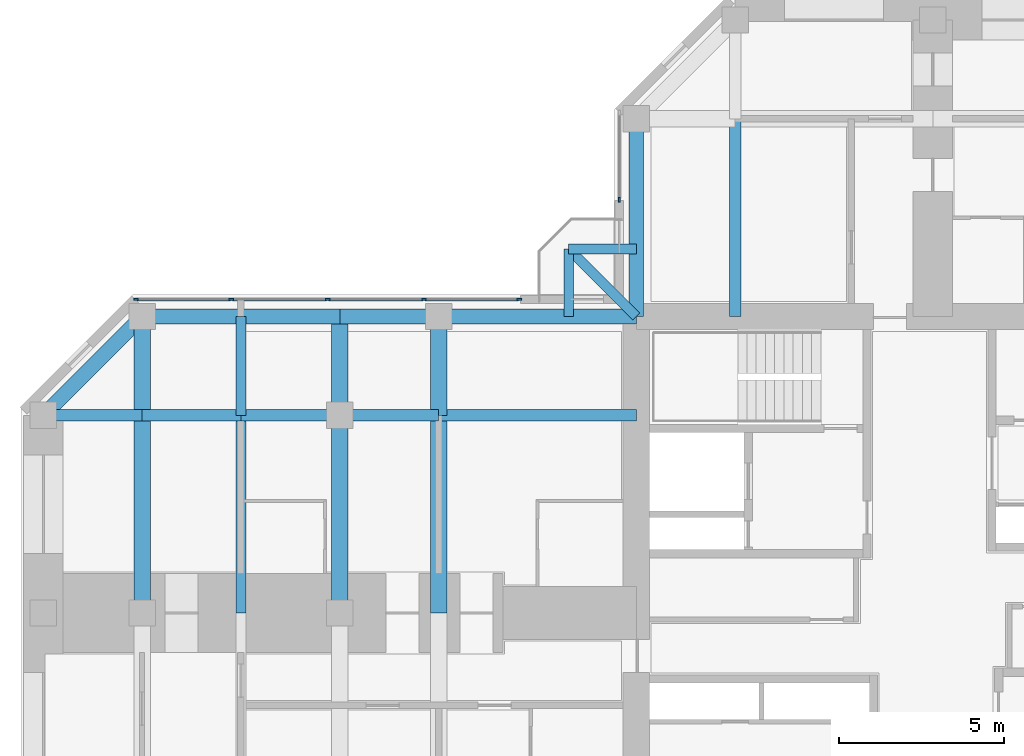
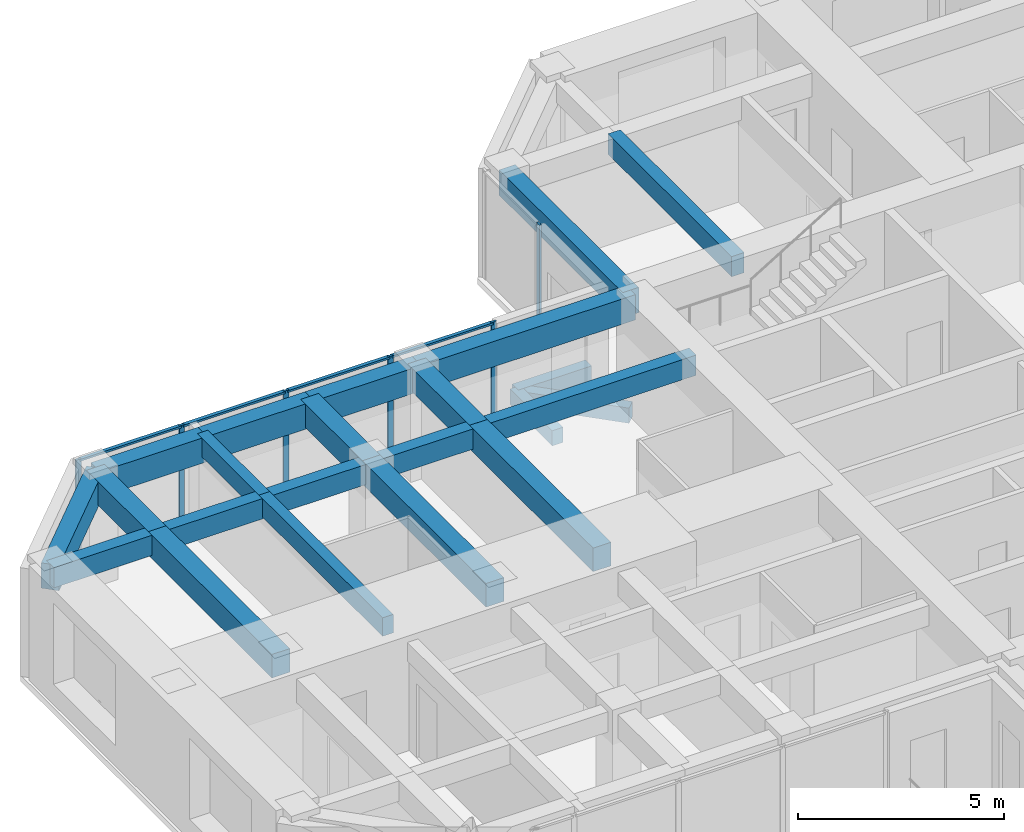
# One storey, part 4 of 13: 23 beams, 10 members, 2 elements without a shape of their own.
"""IFC4 building model written with IfcOpenShell, lengths in metres."""

from ifc_helpers import new_model, si_unit, direction, frame, origin, origin_2d, place, context, subcontext, project, spatial, rectangle, extrude, material, material_profile, profile_set, type_object, element, aggregate, save


model = new_model("IFC4")

# Units and contexts
model_context = context("Model", 3, precision=1e-05, world=origin(), true_north=direction((0.0, 1.0)))
body_context = subcontext(model_context, "Body", "Model", "MODEL_VIEW")
ifc_project = project(units=[si_unit("LENGTHUNIT", "METRE"), si_unit("AREAUNIT", "SQUARE_METRE"), si_unit("VOLUMEUNIT", "CUBIC_METRE"), si_unit("PLANEANGLEUNIT", "RADIAN"), si_unit("MASSUNIT", "GRAM", prefix="KILO")], contexts=[model_context])

# Site, building, storey
site_placement = place(None, origin())
site = spatial("IfcSite", under=ifc_project, at=site_placement, CompositionType="ELEMENT")
building_placement = place(site_placement, origin())
building = spatial("IfcBuilding", under=site, at=building_placement, Name="Torre Cruceta", CompositionType="ELEMENT")
storey_placement = place(building_placement, frame((0.0, 0.0, 242.5)))
storey = spatial("IfcBuildingStorey", under=building, at=storey_placement, Name="L62", CompositionType="ELEMENT", Elevation=242.5)

# Beams
ifc_material_1 = material(Name="Concrete G60 (fck 60 MPa)", Category="concrete")
ifc_material_profile_1 = material_profile(ifc_material_1, rectangle(XDim=0.300048828125, YDim=0.449951171875, at=origin_2d()), Name="RC 300X450")
ifc_profile_set_1 = profile_set([ifc_material_profile_1], Name="Concrete G60 (fck 60 MPa)")
beam_type_1 = type_object("IfcBeamType", Name="BALCONY CANTILEVER BEAM RC 300X450", PredefinedType="BEAM", material=ifc_profile_set_1)
beam_1_placement = place(storey_placement, frame((-9.0, 9.0, -0.405029296875), z_axis=(-0.707106781187, 0.707106781187, 0.0), x_axis=(-0.707106781187, -0.707106781187, 0.0)))
element("IfcBeam", 1, at=beam_1_placement, inside=storey, type_object=beam_type_1, Name="BB1 balcony beam L62 N", PredefinedType="BEAM", context=body_context, shape_type="SweptSolid", body=[
    extrude(rectangle(XDim=0.300048828125, YDim=0.449951171875, at=origin_2d()), origin(), (0.0, 0.0, 1.0), 2.89990234375),
])
for number, where, z_axis, x_axis, name in (
    (2, (-11.050537109375, 9.0, -0.405029296875), (0.0, 1.0, 0.0), (-1.0, 0.0, 0.0), "BB1 balcony edge beam L62 N-X"),
    (3, (-9.0, 11.050537109375, -0.405029296875), (-1.0, 0.0, 0.0), (0.0, -1.0, 0.0), "BB1 balcony edge beam L62 N-Y"),
):
    element("IfcBeam", number, at=place(storey_placement, frame(where, z_axis=z_axis, x_axis=x_axis)), inside=storey, type_object=beam_type_1, Name=name, PredefinedType="BEAM", context=body_context, shape_type="SweptSolid", body=[
        extrude(rectangle(XDim=0.300048828125, YDim=0.449951171875, at=origin_2d()), origin(), (0.0, 0.0, 1.0), 2.050537109375),
    ])
ifc_material_2 = material(Name="Concrete G60 (fck 60 MPa)", Category="concrete")
ifc_material_profile_2 = material_profile(ifc_material_2, rectangle(XDim=0.35009765625, YDim=0.60009765625, at=origin_2d()), Name="RC 350X600")
ifc_profile_set_2 = profile_set([ifc_material_profile_2], Name="Concrete G60 (fck 60 MPa)")
beam_type_2 = type_object("IfcBeamType", Name="COLUMN LINE BEAM RC 350X600", PredefinedType="BEAM", material=ifc_profile_set_2)
for number, where, z_axis, x_axis, name in (
    (4, (-6.0, 9.0, 2.919921875), (0.0, 1.0, 0.0), (-1.0, 0.0, 0.0), "LB9 L62 N col+ 1"),
    (5, (-9.0, 6.0, 2.919921875), (-1.0, 0.0, 0.0), (0.0, -1.0, 0.0), "LB9 L62 W col- 1"),
):
    element("IfcBeam", number, at=place(storey_placement, frame(where, z_axis=z_axis, x_axis=x_axis)), inside=storey, type_object=beam_type_2, Name=name, PredefinedType="BEAM", context=body_context, shape_type="SweptSolid", body=[
        extrude(rectangle(XDim=0.35009765625, YDim=0.60009765625, at=origin_2d()), origin(), (0.0, 0.0, 1.0), 6.0),
    ])
for number, where, z_axis, x_axis, name in (
    (6, (-15.0, 6.0, 2.919921875), (-1.0, 0.0, 0.0), (0.0, -1.0, 0.0), "LB9 L62 W col- 2"),
    (7, (-18.0, 6.0, 2.919921875), (-1.0, 0.0, 0.0), (0.0, -1.0, 0.0), "LB9 L62 W col- 3"),
    (8, (-21.0, 6.0, 2.919921875), (-1.0, 0.0, 0.0), (0.0, -1.0, 0.0), "LB9 L62 W col- 4"),
    (9, (-24.0, 6.0, 2.919921875), (-1.0, 0.0, 0.0), (0.0, -1.0, 0.0), "LB9 L62 W col- 5"),
):
    element("IfcBeam", number, at=place(storey_placement, frame(where, z_axis=z_axis, x_axis=x_axis)), inside=storey, type_object=beam_type_2, Name=name, PredefinedType="BEAM", context=body_context, shape_type="SweptSolid", body=[
        extrude(rectangle(XDim=0.35009765625, YDim=0.60009765625, at=origin_2d()), origin(), (0.0, 0.0, 1.0), 3.0),
    ])
ifc_material_3 = material(Name="Concrete G60 (fck 60 MPa)", Category="concrete")
ifc_material_profile_3 = material_profile(ifc_material_3, rectangle(XDim=0.5, YDim=0.699951171875, at=origin_2d()), Name="RC 500X700")
ifc_profile_set_3 = profile_set([ifc_material_profile_3], Name="Concrete G60 (fck 60 MPa)")
beam_type_3 = type_object("IfcBeamType", Name="CROSS BEAM RC 500X700", PredefinedType="BEAM", material=ifc_profile_set_3)
beam_2_placement = place(storey_placement, frame((-15.0, 9.0, 2.8701171875), z_axis=(0.0, -1.0, 0.0), x_axis=(1.0, 0.0, 0.0)))
element("IfcBeam", 10, at=beam_2_placement, inside=storey, type_object=beam_type_3, Name="GB7 L62 W cross15 1", PredefinedType="BEAM", context=body_context, shape_type="SweptSolid", body=[
    extrude(rectangle(XDim=0.5, YDim=0.699951171875, at=origin_2d()), origin(), (0.0, 0.0, 1.0), 3.0),
])
beam_3_placement = place(storey_placement, frame((-15.0, 6.0, 2.8701171875), z_axis=(0.0, -1.0, 0.0), x_axis=(1.0, 0.0, 0.0)))
element("IfcBeam", 11, at=beam_3_placement, inside=storey, type_object=beam_type_3, Name="GB7 L62 W cross15 2", PredefinedType="BEAM", context=body_context, shape_type="SweptSolid", body=[
    extrude(rectangle(XDim=0.5, YDim=0.699951171875, at=origin_2d()), origin(), (0.0, 0.0, 1.0), 6.0),
])
beam_4_placement = place(storey_placement, frame((-18.0, 9.0, 2.8701171875), z_axis=(0.0, -1.0, 0.0), x_axis=(1.0, 0.0, 0.0)))
element("IfcBeam", 12, at=beam_4_placement, inside=storey, type_object=beam_type_3, Name="GB7 L62 W cross18 1", PredefinedType="BEAM", context=body_context, shape_type="SweptSolid", body=[
    extrude(rectangle(XDim=0.5, YDim=0.699951171875, at=origin_2d()), origin(), (0.0, 0.0, 1.0), 3.0),
])
beam_5_placement = place(storey_placement, frame((-18.0, 6.0, 2.8701171875), z_axis=(0.0, -1.0, 0.0), x_axis=(1.0, 0.0, 0.0)))
element("IfcBeam", 13, at=beam_5_placement, inside=storey, type_object=beam_type_3, Name="GB7 L62 W cross18 2", PredefinedType="BEAM", context=body_context, shape_type="SweptSolid", body=[
    extrude(rectangle(XDim=0.5, YDim=0.699951171875, at=origin_2d()), origin(), (0.0, 0.0, 1.0), 6.0),
])
beam_6_placement = place(storey_placement, frame((-24.0, 9.0, 2.8701171875), z_axis=(0.0, -1.0, 0.0), x_axis=(1.0, 0.0, 0.0)))
element("IfcBeam", 14, at=beam_6_placement, inside=storey, type_object=beam_type_3, Name="GB7 L62 W cross24 1", PredefinedType="BEAM", context=body_context, shape_type="SweptSolid", body=[
    extrude(rectangle(XDim=0.5, YDim=0.699951171875, at=origin_2d()), origin(), (0.0, 0.0, 1.0), 3.0),
])
beam_7_placement = place(storey_placement, frame((-24.0, 6.0, 2.8701171875), z_axis=(0.0, -1.0, 0.0), x_axis=(1.0, 0.0, 0.0)))
element("IfcBeam", 15, at=beam_7_placement, inside=storey, type_object=beam_type_3, Name="GB7 L62 W cross24 2", PredefinedType="BEAM", context=body_context, shape_type="SweptSolid", body=[
    extrude(rectangle(XDim=0.5, YDim=0.699951171875, at=origin_2d()), origin(), (0.0, 0.0, 1.0), 6.0),
])

# Curtain wall, member
ifc_material_4 = material(Name="Aluminium unitised curtain wall", Category="aluminium")
curtain_wall_type = type_object("IfcCurtainWallType", Name="CURTAIN WALL CW-D CO-LIVING UPPER", PredefinedType="USERDEFINED", material=ifc_material_4)
curtain_wall_1_placement = place(storey_placement, origin())
curtain_wall_1 = element("IfcCurtainWall", 16, at=curtain_wall_1_placement, inside=storey, type_object=curtain_wall_type, Name="CW-D L62 N side 09", ObjectType="UNITISED", PredefinedType="USERDEFINED")
ifc_material_5 = material(Name="Aluminium mullion", Category="aluminium")
ifc_material_profile_4 = material_profile(ifc_material_5, rectangle(XDim=0.06005859375, YDim=0.14990234375, at=origin_2d()), Name="AL 60X150")
ifc_profile_set_4 = profile_set([ifc_material_profile_4], Name="Aluminium mullion")
member_type_1 = type_object("IfcMemberType", Name="CW-D MULLION 60X150", PredefinedType="MULLION", material=ifc_profile_set_4)
member_1_placement = place(storey_placement, frame((-9.52001953125, 12.550048828125, 0.0), z_axis=(0.0, 0.0, 1.0), x_axis=(1.0, 0.0, 0.0)))
member_1 = element("IfcMember", 17, at=member_1_placement, type_object=member_type_1, Name="CW-D mullion 2", PredefinedType="MULLION", context=body_context, shape_type="SweptSolid", body=[
    extrude(rectangle(XDim=0.06005859375, YDim=0.14990234375, at=origin_2d()), origin(), (0.0, 0.0, 1.0), 3.219970703125),
])
aggregate(curtain_wall_1, [member_1])

# Curtain wall, members
curtain_wall_2_placement = place(storey_placement, origin())
curtain_wall_2 = element("IfcCurtainWall", 18, at=curtain_wall_2_placement, inside=storey, type_object=curtain_wall_type, Name="CW-D L62 W side 10", ObjectType="UNITISED", PredefinedType="USERDEFINED")
member_2_placement = place(storey_placement, frame((-12.550048828125, 9.52001953125, 0.0), z_axis=(0.0, 0.0, 1.0), x_axis=(0.0, -1.0, 0.0)))
member_2 = element("IfcMember", 19, at=member_2_placement, type_object=member_type_1, Name="CW-D mullion 1", PredefinedType="MULLION", context=body_context, shape_type="SweptSolid", body=[
    extrude(rectangle(XDim=0.06005859375, YDim=0.14990234375, at=origin_2d()), origin(), (0.0, 0.0, 1.0), 3.219970703125),
])
member_3_placement = place(storey_placement, frame((-15.44384765625, 9.52001953125, 0.0), z_axis=(0.0, 0.0, 1.0), x_axis=(0.0, -1.0, 0.0)))
member_3 = element("IfcMember", 20, at=member_3_placement, type_object=member_type_1, Name="CW-D mullion 2", PredefinedType="MULLION", context=body_context, shape_type="SweptSolid", body=[
    extrude(rectangle(XDim=0.06005859375, YDim=0.14990234375, at=origin_2d()), origin(), (0.0, 0.0, 1.0), 3.219970703125),
])
member_4_placement = place(storey_placement, frame((-18.36767578125, 9.52001953125, 0.0), z_axis=(0.0, 0.0, 1.0), x_axis=(0.0, -1.0, 0.0)))
member_4 = element("IfcMember", 21, at=member_4_placement, type_object=member_type_1, Name="CW-D mullion 3", PredefinedType="MULLION", context=body_context, shape_type="SweptSolid", body=[
    extrude(rectangle(XDim=0.06005859375, YDim=0.14990234375, at=origin_2d()), origin(), (0.0, 0.0, 1.0), 3.219970703125),
])
member_5_placement = place(storey_placement, frame((-21.29150390625, 9.52001953125, 0.0), z_axis=(0.0, 0.0, 1.0), x_axis=(0.0, -1.0, 0.0)))
member_5 = element("IfcMember", 22, at=member_5_placement, type_object=member_type_1, Name="CW-D mullion 4", PredefinedType="MULLION", context=body_context, shape_type="SweptSolid", body=[
    extrude(rectangle(XDim=0.06005859375, YDim=0.14990234375, at=origin_2d()), origin(), (0.0, 0.0, 1.0), 3.219970703125),
])
member_6_placement = place(storey_placement, frame((-24.185302734375, 9.52001953125, 0.0), z_axis=(0.0, 0.0, 1.0), x_axis=(0.0, -1.0, 0.0)))
member_6 = element("IfcMember", 23, at=member_6_placement, type_object=member_type_1, Name="CW-D mullion 5", PredefinedType="MULLION", context=body_context, shape_type="SweptSolid", body=[
    extrude(rectangle(XDim=0.06005859375, YDim=0.14990234375, at=origin_2d()), origin(), (0.0, 0.0, 1.0), 3.219970703125),
])
ifc_material_6 = material(Name="Aluminium transom", Category="aluminium")
ifc_material_profile_5 = material_profile(ifc_material_6, rectangle(XDim=0.10009765625, YDim=0.06005859375, at=origin_2d()), Name="AL 100X60")
ifc_profile_set_5 = profile_set([ifc_material_profile_5], Name="Aluminium transom")
member_type_2 = type_object("IfcMemberType", Name="CW-D TRANSOM 60X100", PredefinedType="USERDEFINED", material=ifc_profile_set_5)
member_7_placement = place(storey_placement, frame((-12.580078125, 9.52001953125, 3.18994140625), z_axis=(-1.0, 0.0, 0.0), x_axis=(0.0, -1.0, 0.0)))
member_7 = element("IfcMember", 24, at=member_7_placement, type_object=member_type_2, Name="CW-D transom 1", ObjectType="TRANSOM", PredefinedType="USERDEFINED", context=body_context, shape_type="SweptSolid", body=[
    extrude(rectangle(XDim=0.10009765625, YDim=0.06005859375, at=origin_2d()), origin(), (0.0, 0.0, 1.0), 2.833740234375),
])
member_8_placement = place(storey_placement, frame((-15.473876953125, 9.52001953125, 3.18994140625), z_axis=(-1.0, 0.0, 0.0), x_axis=(0.0, -1.0, 0.0)))
member_8 = element("IfcMember", 25, at=member_8_placement, type_object=member_type_2, Name="CW-D transom 2", ObjectType="TRANSOM", PredefinedType="USERDEFINED", context=body_context, shape_type="SweptSolid", body=[
    extrude(rectangle(XDim=0.10009765625, YDim=0.06005859375, at=origin_2d()), origin(), (0.0, 0.0, 1.0), 2.86376953125),
])
member_9_placement = place(storey_placement, frame((-18.397705078125, 9.52001953125, 3.18994140625), z_axis=(-1.0, 0.0, 0.0), x_axis=(0.0, -1.0, 0.0)))
member_9 = element("IfcMember", 26, at=member_9_placement, type_object=member_type_2, Name="CW-D transom 3", ObjectType="TRANSOM", PredefinedType="USERDEFINED", context=body_context, shape_type="SweptSolid", body=[
    extrude(rectangle(XDim=0.10009765625, YDim=0.06005859375, at=origin_2d()), origin(), (0.0, 0.0, 1.0), 2.86376953125),
])
member_10_placement = place(storey_placement, frame((-21.321533203125, 9.52001953125, 3.18994140625), z_axis=(-1.0, 0.0, 0.0), x_axis=(0.0, -1.0, 0.0)))
member_10 = element("IfcMember", 27, at=member_10_placement, type_object=member_type_2, Name="CW-D transom 4", ObjectType="TRANSOM", PredefinedType="USERDEFINED", context=body_context, shape_type="SweptSolid", body=[
    extrude(rectangle(XDim=0.10009765625, YDim=0.06005859375, at=origin_2d()), origin(), (0.0, 0.0, 1.0), 2.833740234375),
])
aggregate(curtain_wall_2, [member_2, member_3, member_4, member_5, member_6, member_7, member_8, member_9, member_10])

# Beams
ifc_material_7 = material(Name="Concrete G60 (fck 60 MPa)", Category="concrete")
ifc_material_profile_6 = material_profile(ifc_material_7, rectangle(XDim=0.300048828125, YDim=0.550048828125, at=origin_2d()), Name="RC 300X550")
ifc_profile_set_6 = profile_set([ifc_material_profile_6], Name="Concrete G60 (fck 60 MPa)")
beam_type_4 = type_object("IfcBeamType", Name="SECONDARY BEAM RC 300X550", PredefinedType="JOIST", material=ifc_profile_set_6)
beam_8_placement = place(storey_placement, frame((-21.0, 9.0, 2.945068359375), z_axis=(0.0, -1.0, 0.0), x_axis=(1.0, 0.0, 0.0)))
element("IfcBeam", 28, at=beam_8_placement, inside=storey, type_object=beam_type_4, Name="JB7 L62 W sec21 1", PredefinedType="JOIST", context=body_context, shape_type="SweptSolid", body=[
    extrude(rectangle(XDim=0.300048828125, YDim=0.550048828125, at=origin_2d()), origin(), (0.0, 0.0, 1.0), 3.0),
])
beam_9_placement = place(storey_placement, frame((-21.0, 6.0, 2.945068359375), z_axis=(0.0, -1.0, 0.0), x_axis=(1.0, 0.0, 0.0)))
element("IfcBeam", 29, at=beam_9_placement, inside=storey, type_object=beam_type_4, Name="JB7 L62 W sec21 2", PredefinedType="JOIST", context=body_context, shape_type="SweptSolid", body=[
    extrude(rectangle(XDim=0.300048828125, YDim=0.550048828125, at=origin_2d()), origin(), (0.0, 0.0, 1.0), 6.0),
])
ifc_material_8 = material(Name="Concrete G60 (fck 60 MPa)", Category="concrete")
ifc_material_profile_7 = material_profile(ifc_material_8, rectangle(XDim=0.449951171875, YDim=0.75, at=origin_2d()), Name="RC 450X750")
ifc_profile_set_7 = profile_set([ifc_material_profile_7], Name="Concrete G60 (fck 60 MPa)")
beam_type_5 = type_object("IfcBeamType", Name="SPANDREL BEAM RC 450X750", PredefinedType="SPANDREL", material=ifc_profile_set_7)
for number, where, z_axis, x_axis, name in (
    (30, (-9.0, 9.0, 2.844970703125), (0.0, 1.0, 0.0), (-1.0, 0.0, 0.0), "SB7 L62 N side+ 1"),
    (31, (-9.0, 9.0, 2.844970703125), (-1.0, 0.0, 0.0), (0.0, -1.0, 0.0), "SB7 L62 W side- 1"),
):
    element("IfcBeam", number, at=place(storey_placement, frame(where, z_axis=z_axis, x_axis=x_axis)), inside=storey, type_object=beam_type_5, Name=name, PredefinedType="SPANDREL", context=body_context, shape_type="SweptSolid", body=[
        extrude(rectangle(XDim=0.449951171875, YDim=0.75, at=origin_2d()), origin(), (0.0, 0.0, 1.0), 6.0),
    ])
for number, where, z_axis, x_axis, name in (
    (32, (-15.0, 9.0, 2.844970703125), (-1.0, 0.0, 0.0), (0.0, -1.0, 0.0), "SB7 L62 W side- 2"),
    (33, (-18.0, 9.0, 2.844970703125), (-1.0, 0.0, 0.0), (0.0, -1.0, 0.0), "SB7 L62 W side- 3"),
    (34, (-21.0, 9.0, 2.844970703125), (-1.0, 0.0, 0.0), (0.0, -1.0, 0.0), "SB7 L62 W side- 4"),
):
    element("IfcBeam", number, at=place(storey_placement, frame(where, z_axis=z_axis, x_axis=x_axis)), inside=storey, type_object=beam_type_5, Name=name, PredefinedType="SPANDREL", context=body_context, shape_type="SweptSolid", body=[
        extrude(rectangle(XDim=0.449951171875, YDim=0.75, at=origin_2d()), origin(), (0.0, 0.0, 1.0), 3.0),
    ])
beam_10_placement = place(storey_placement, frame((-24.0, 9.0, 2.844970703125), z_axis=(-0.707106781187, -0.707106781187, 0.0), x_axis=(0.707106781187, -0.707106781187, 0.0)))
element("IfcBeam", 35, at=beam_10_placement, inside=storey, type_object=beam_type_5, Name="SB7 L62 W side- 5", PredefinedType="SPANDREL", context=body_context, shape_type="SweptSolid", body=[
    extrude(rectangle(XDim=0.449951171875, YDim=0.75, at=origin_2d()), origin(), (0.0, 0.0, 1.0), 4.24267578125),
])

save(model, "model.ifc")
